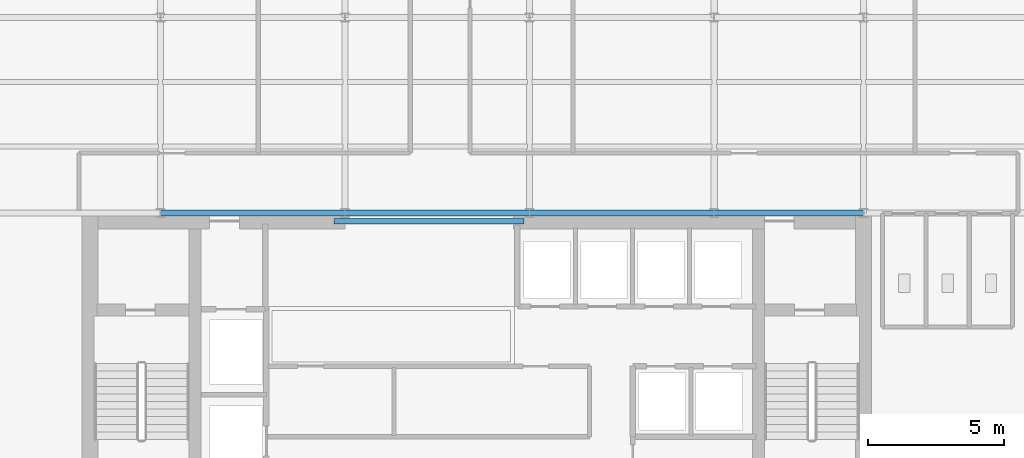
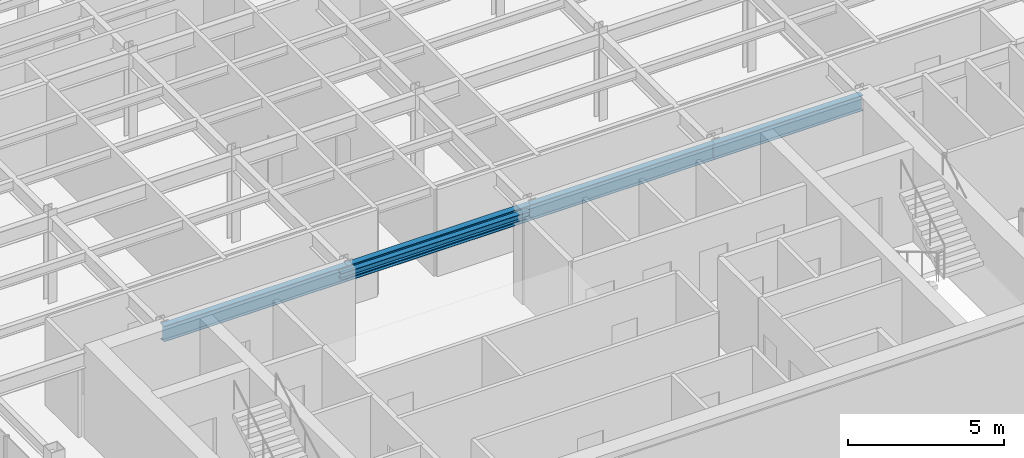
# One storey, part 4 of 22: 5 beams.
"""IFC4 building model written with IfcOpenShell, lengths in metres."""

from ifc_helpers import new_model, si_unit, derived_unit, direction, frame, origin, origin_2d, place, context, subcontext, project, spatial, i_section, extrude, source, transform, mapped, material, material_profile, profile_set, type_object, element, save


model = new_model("IFC4")

# Units and contexts
model_context = context("Model", 3, precision=1e-05, world=origin(), true_north=direction((0.0, 1.0)))
body_context = subcontext(model_context, "Body", "Model", "MODEL_VIEW")
ifc_project = project(units=[si_unit("LENGTHUNIT", "METRE"), si_unit("AREAUNIT", "SQUARE_METRE"), si_unit("VOLUMEUNIT", "CUBIC_METRE"), si_unit("PLANEANGLEUNIT", "RADIAN"), si_unit("MASSUNIT", "GRAM", prefix="KILO"), derived_unit("THERMALTRANSMITTANCEUNIT", [(si_unit("POWERUNIT", "WATT"), 1), (si_unit("LENGTHUNIT", "METRE"), -2), (si_unit("THERMODYNAMICTEMPERATUREUNIT", "KELVIN"), -1)])], contexts=[model_context])

# Site, building, storey
site_placement = place(None, origin())
site = spatial("IfcSite", under=ifc_project, at=site_placement, CompositionType="ELEMENT")
building_placement = place(site_placement, origin())
building = spatial("IfcBuilding", under=site, at=building_placement, Name="Skarnbrae Concourse Arena and Tower", CompositionType="ELEMENT")
storey_placement = place(building_placement, frame((0.0, 0.0, 214.14990234375)))
storey = spatial("IfcBuildingStorey", under=building, at=storey_placement, Name="L55", CompositionType="ELEMENT", Elevation=214.14990234375)

# Beams
ifc_material = material(Name="Steel CSA G40.21 350W", Category="steel")
ifc_material_profile_1 = material_profile(ifc_material, i_section(OverallWidth=0.202880859375, OverallDepth=0.251953125, WebThickness=0.008056640625, FlangeThickness=0.013427734375, at=origin_2d()), Name="W250X58")
ifc_profile_set_1 = profile_set([ifc_material_profile_1], Name="Steel CSA G40.21 350W")
beam_type_1 = type_object("IfcBeamType", Name="BM-LINTEL-W250X58", PredefinedType="LINTEL", material=ifc_profile_set_1)
shared_shape_1 = source(origin(), body_context, "Body", "SweptSolid", [
    extrude(i_section(OverallWidth=0.202880859375, OverallDepth=0.251953125, WebThickness=0.008056640625, FlangeThickness=0.013427734375, at=origin_2d()), origin(), (0.0, 0.0, 1.0), 7.0),
])
beam_1_placement = place(storey_placement, frame((14.0, 13.699951171875, 3.274169921875), z_axis=(1.0, 0.0, 0.0), x_axis=(0.0, 1.0, 0.0)))
element("IfcBeam", 1, at=beam_1_placement, inside=storey, type_object=beam_type_1, Name="L55 Core portal coupling lintel", PredefinedType="LINTEL", context=body_context, shape_type="MappedRepresentation", body=[
    mapped(shared_shape_1, transform((0.0, 0.0, 0.0))),
])
ifc_material_profile_2 = material_profile(ifc_material, i_section(OverallWidth=0.22802734375, OverallDepth=0.60791015625, WebThickness=0.01123046875, FlangeThickness=0.017333984375, at=origin_2d()), Name="W610X113")
ifc_profile_set_2 = profile_set([ifc_material_profile_2], Name="Steel CSA G40.21 350W")
beam_type_2 = type_object("IfcBeamType", Name="BM-GIRD-W610X113", PredefinedType="BEAM", material=ifc_profile_set_2)
shared_shape_2 = source(origin(), body_context, "Body", "SweptSolid", [
    extrude(i_section(OverallWidth=0.22802734375, OverallDepth=0.60791015625, WebThickness=0.01123046875, FlangeThickness=0.017333984375, at=origin_2d()), origin(), (0.0, 0.0, 1.0), 6.7998046875),
])
beam_2_placement = place(storey_placement, frame((7.60009765625, 14.0, 3.09619140625), z_axis=(1.0, 0.0, 0.0), x_axis=(0.0, 1.0, 0.0)))
element("IfcBeam", 2, at=beam_2_placement, inside=storey, type_object=beam_type_2, Name="L55 Primary E-W girder Y14.0-2", PredefinedType="BEAM", context=body_context, shape_type="MappedRepresentation", body=[
    mapped(shared_shape_2, transform((0.0, 0.0, 0.0))),
])
shared_shape_3 = source(origin(), body_context, "Body", "SweptSolid", [
    extrude(i_section(OverallWidth=0.22802734375, OverallDepth=0.60791015625, WebThickness=0.01123046875, FlangeThickness=0.017333984375, at=origin_2d()), origin(), (0.0, 0.0, 1.0), 6.800048828125),
])
for number, where, z_axis, x_axis, name in (
    (3, (14.39990234375, 14.0, 3.09619140625), (1.0, 0.0, 0.0), (0.0, 1.0, 0.0), "L55 Primary E-W girder Y14.0-3"),
    (4, (21.199951171875, 14.0, 3.09619140625), (1.0, 0.0, 0.0), (0.0, 1.0, 0.0), "L55 Primary E-W girder Y14.0-4"),
):
    element("IfcBeam", number, at=place(storey_placement, frame(where, z_axis=z_axis, x_axis=x_axis)), inside=storey, type_object=beam_type_2, Name=name, PredefinedType="BEAM", context=body_context, shape_type="MappedRepresentation", body=[
        mapped(shared_shape_3, transform((0.0, 0.0, 0.0))),
    ])
shared_shape_4 = source(origin(), body_context, "Body", "SweptSolid", [
    extrude(i_section(OverallWidth=0.22802734375, OverallDepth=0.60791015625, WebThickness=0.01123046875, FlangeThickness=0.017333984375, at=origin_2d()), origin(), (0.0, 0.0, 1.0), 5.5),
])
beam_3_placement = place(storey_placement, frame((28.0, 14.0, 3.09619140625), z_axis=(1.0, 0.0, 0.0), x_axis=(0.0, 1.0, 0.0)))
element("IfcBeam", 5, at=beam_3_placement, inside=storey, type_object=beam_type_2, Name="L55 Primary E-W girder Y14.0-5", PredefinedType="BEAM", context=body_context, shape_type="MappedRepresentation", body=[
    mapped(shared_shape_4, transform((0.0, 0.0, 0.0))),
])

save(model, "model.ifc")
